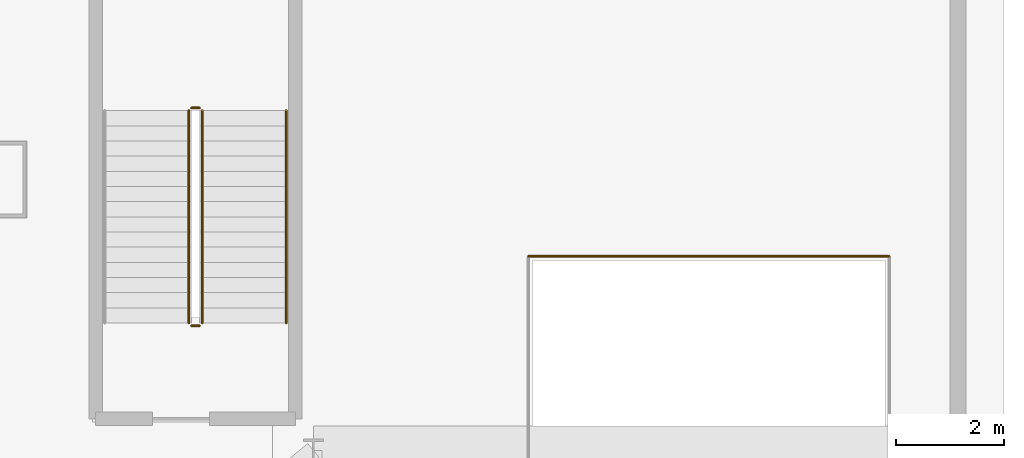
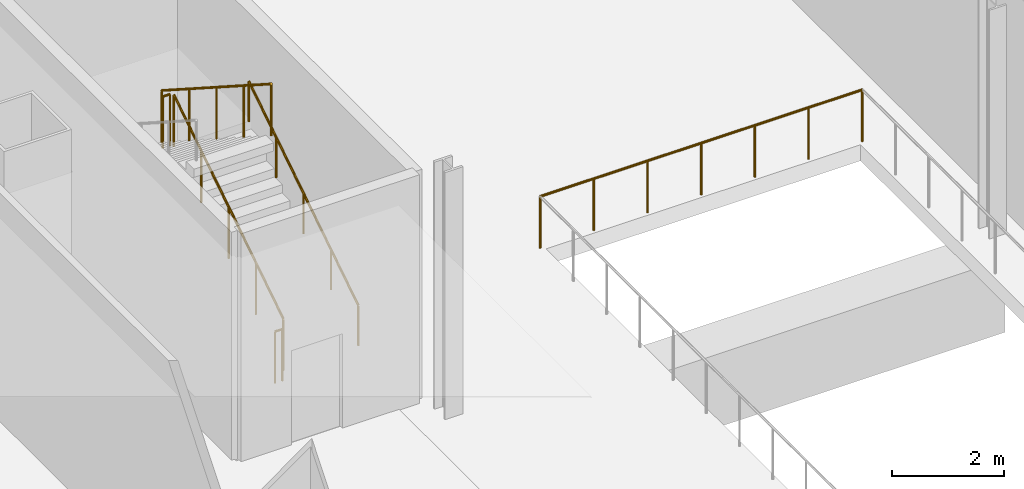
# One storey, part 23 of 24: 6 railings.
"""IFC4 building model written with IfcOpenShell, lengths in metres."""

from ifc_helpers import new_model, si_unit, direction, frame, origin, origin_2d, place, context, subcontext, project, spatial, circle, extrude, material, type_object, element, save


model = new_model("IFC4")

# Units and contexts
model_context = context("Model", 3, precision=1e-05, world=origin(), true_north=direction((0.0, 1.0)))
body_context = subcontext(model_context, "Body", "Model", "MODEL_VIEW")
ifc_project = project(units=[si_unit("LENGTHUNIT", "METRE"), si_unit("AREAUNIT", "SQUARE_METRE"), si_unit("VOLUMEUNIT", "CUBIC_METRE"), si_unit("PLANEANGLEUNIT", "RADIAN"), si_unit("MASSUNIT", "GRAM", prefix="KILO")], contexts=[model_context])

# Site, building, storey
site_placement = place(None, origin())
site = spatial("IfcSite", under=ifc_project, at=site_placement, CompositionType="ELEMENT")
building_placement = place(site_placement, origin())
building = spatial("IfcBuilding", under=site, at=building_placement, Name="Trevonay Congress Spire", CompositionType="ELEMENT")
storey_placement = place(building_placement, origin())
storey = spatial("IfcBuildingStorey", under=building, at=storey_placement, Name="L00", CompositionType="ELEMENT", Elevation=0.0)

# Railings
ifc_material = material(Name="Pale Anodised Aluminium EN AW-6063-T6", Category="aluminium")
railing_type_1 = type_object("IfcRailingType", Name="RAL-EXT-GUARD-115", PredefinedType="GUARDRAIL", material=ifc_material)
railing_1_placement = place(storey_placement, frame((33.219970703125, 18.080078125, 0.0)))
element("IfcRailing", 1, at=railing_1_placement, inside=storey, type_object=railing_type_1, Name="L00 perimeter safety guard GRD-L00-RAMPWELL-2", PredefinedType="GUARDRAIL", context=body_context, shape_type="SweptSolid", body=[
    extrude(circle(Radius=0.02392578125, at=origin_2d()), frame((0.0, 0.0, 1.1259765625), z_axis=(1.0, 0.0, 0.0), x_axis=(0.0, 1.0, 0.0)), (0.0, 0.0, 1.0), 6.659912109375),
    extrude(circle(Radius=0.02099609375, at=origin_2d()), origin(), (0.0, 0.0, 1.0), 1.101806640625),
    extrude(circle(Radius=0.02099609375, at=origin_2d()), frame((1.10986328125, 0.0, 0.0)), (0.0, 0.0, 1.0), 1.101806640625),
    extrude(circle(Radius=0.02099609375, at=origin_2d()), frame((2.219970703125, 0.0, 0.0)), (0.0, 0.0, 1.0), 1.101806640625),
    extrude(circle(Radius=0.02099609375, at=origin_2d()), frame((3.330078125, 0.0, 0.0)), (0.0, 0.0, 1.0), 1.101806640625),
    extrude(circle(Radius=0.02099609375, at=origin_2d()), frame((4.43994140625, 0.0, 0.0)), (0.0, 0.0, 1.0), 1.101806640625),
    extrude(circle(Radius=0.02099609375, at=origin_2d()), frame((5.5498046875, 0.0, 0.0)), (0.0, 0.0, 1.0), 1.101806640625),
    extrude(circle(Radius=0.02099609375, at=origin_2d()), frame((6.659912109375, 0.0, 0.0)), (0.0, 0.0, 1.0), 1.101806640625),
])
railing_type_2 = type_object("IfcRailingType", Name="RAL-STAIR-GUARD-110", PredefinedType="GUARDRAIL", material=ifc_material)
railing_2_placement = place(storey_placement, frame((27.199951171875, 16.85009765625, 0.179931640625)))
element("IfcRailing", 2, at=railing_2_placement, inside=storey, type_object=railing_type_2, Name="L00 ST-6 stair guard 1", PredefinedType="GUARDRAIL", context=body_context, shape_type="SweptSolid", body=[
    extrude(circle(Radius=0.02392578125, at=origin_2d()), frame((0.0, 0.0, 1.1259765625), z_axis=(0.0, 0.841171666519, 0.540768182723), x_axis=(-1.0, 0.0, 0.0)), (0.0, 0.0, 1.0), 4.66015625),
    extrude(circle(Radius=0.02099609375, at=origin_2d()), origin(), (0.0, 0.0, 1.0), 1.101806640625),
    extrude(circle(Radius=0.02099609375, at=origin_2d()), frame((0.0, 0.97998046875, 0.6298828125)), (0.0, 0.0, 1.0), 1.101806640625),
    extrude(circle(Radius=0.02099609375, at=origin_2d()), frame((0.0, 1.9599609375, 1.260009765625)), (0.0, 0.0, 1.0), 1.101806640625),
    extrude(circle(Radius=0.02099609375, at=origin_2d()), frame((0.0, 2.93994140625, 1.89013671875)), (0.0, 0.0, 1.0), 1.101806640625),
    extrude(circle(Radius=0.02099609375, at=origin_2d()), frame((0.0, 3.919921875, 2.52001953125)), (0.0, 0.0, 1.0), 1.101806640625),
])
railing_3_placement = place(storey_placement, frame((27.14990234375, 20.820068359375, 2.699951171875)))
element("IfcRailing", 3, at=railing_3_placement, inside=storey, type_object=railing_type_2, Name="L00 ST-6 stair guard 2", PredefinedType="GUARDRAIL", context=body_context, shape_type="SweptSolid", body=[
    extrude(circle(Radius=0.02392578125, at=origin_2d()), frame((0.0, 0.0, 1.1259765625), z_axis=(-1.0, 0.0, 0.0), x_axis=(0.0, -1.0, 0.0)), (0.0, 0.0, 1.0), 0.14990234375),
    extrude(circle(Radius=0.02099609375, at=origin_2d()), origin(), (0.0, 0.0, 1.0), 1.101806640625),
    extrude(circle(Radius=0.02099609375, at=origin_2d()), frame((-0.14990234375, 0.0, 0.0)), (0.0, 0.0, 1.0), 1.101806640625),
])
railing_4_placement = place(storey_placement, frame((26.949951171875, 20.77001953125, 2.8798828125)))
element("IfcRailing", 4, at=railing_4_placement, inside=storey, type_object=railing_type_2, Name="L00 ST-6 stair guard 3", PredefinedType="GUARDRAIL", context=body_context, shape_type="SweptSolid", body=[
    extrude(circle(Radius=0.02392578125, at=origin_2d()), frame((0.0, 0.0, 1.1259765625), z_axis=(0.0, -0.841171666519, 0.540768182723), x_axis=(1.0, 0.0, 0.0)), (0.0, 0.0, 1.0), 4.66015625),
    extrude(circle(Radius=0.02099609375, at=origin_2d()), origin(), (0.0, 0.0, 1.0), 1.101806640625),
    extrude(circle(Radius=0.02099609375, at=origin_2d()), frame((0.0, -0.97998046875, 0.6298828125)), (0.0, 0.0, 1.0), 1.101806640625),
    extrude(circle(Radius=0.02099609375, at=origin_2d()), frame((0.0, -1.9599609375, 1.260009765625)), (0.0, 0.0, 1.0), 1.101806640625),
    extrude(circle(Radius=0.02099609375, at=origin_2d()), frame((0.0, -2.93994140625, 1.89013671875)), (0.0, 0.0, 1.0), 1.101806640625),
    extrude(circle(Radius=0.02099609375, at=origin_2d()), frame((0.0, -3.919921875, 2.52001953125)), (0.0, 0.0, 1.0), 1.101806640625),
])
railing_5_placement = place(storey_placement, frame((27.14990234375, 16.800048828125, 0.0)))
element("IfcRailing", 5, at=railing_5_placement, inside=storey, type_object=railing_type_2, Name="L00 ST-6 stair guard 4", PredefinedType="GUARDRAIL", context=body_context, shape_type="SweptSolid", body=[
    extrude(circle(Radius=0.02392578125, at=origin_2d()), frame((0.0, 0.0, 1.1259765625), z_axis=(-1.0, 0.0, 0.0), x_axis=(0.0, -1.0, 0.0)), (0.0, 0.0, 1.0), 0.14990234375),
    extrude(circle(Radius=0.02099609375, at=origin_2d()), origin(), (0.0, 0.0, 1.0), 1.101806640625),
    extrude(circle(Radius=0.02099609375, at=origin_2d()), frame((-0.14990234375, 0.0, 0.0)), (0.0, 0.0, 1.0), 1.101806640625),
])
railing_type_3 = type_object("IfcRailingType", Name="RAL-STAIR-HANDRAIL", PredefinedType="HANDRAIL", material=ifc_material)
railing_6_placement = place(storey_placement, frame((28.75, 16.85009765625, 0.179931640625)))
element("IfcRailing", 6, at=railing_6_placement, inside=storey, type_object=railing_type_3, Name="L00 ST-6 stair handrail 1", PredefinedType="HANDRAIL", context=body_context, shape_type="SweptSolid", body=[
    extrude(circle(Radius=0.02392578125, at=origin_2d()), frame((0.0, 0.0, 0.8759765625), z_axis=(0.0, 0.841171666519, 0.540768182723), x_axis=(-1.0, 0.0, 0.0)), (0.0, 0.0, 1.0), 4.66015625),
    extrude(circle(Radius=0.02099609375, at=origin_2d()), origin(), (0.0, 0.0, 1.0), 0.851806640625),
    extrude(circle(Radius=0.02099609375, at=origin_2d()), frame((0.0, 0.97998046875, 0.6298828125)), (0.0, 0.0, 1.0), 0.851806640625),
    extrude(circle(Radius=0.02099609375, at=origin_2d()), frame((0.0, 1.9599609375, 1.260009765625)), (0.0, 0.0, 1.0), 0.851806640625),
    extrude(circle(Radius=0.02099609375, at=origin_2d()), frame((0.0, 2.93994140625, 1.89013671875)), (0.0, 0.0, 1.0), 0.851806640625),
    extrude(circle(Radius=0.02099609375, at=origin_2d()), frame((0.0, 3.919921875, 2.52001953125)), (0.0, 0.0, 1.0), 0.851806640625),
])

save(model, "model.ifc")
